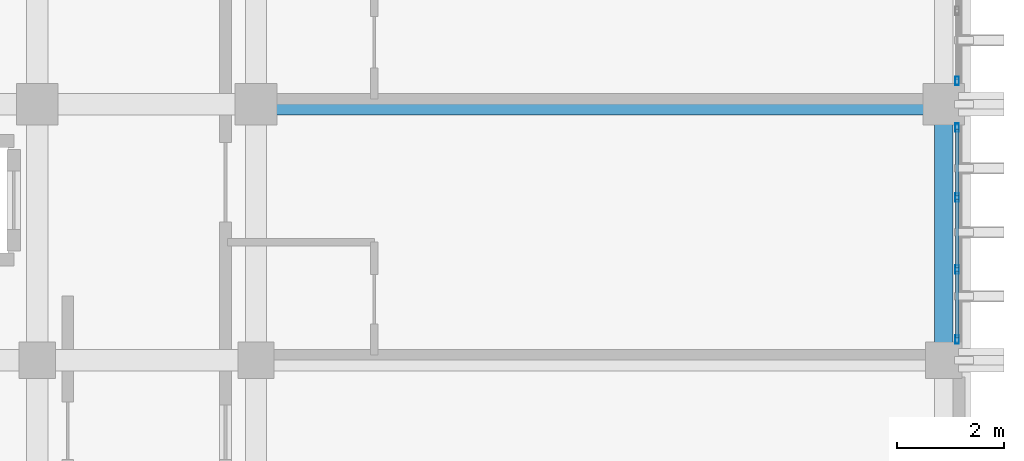
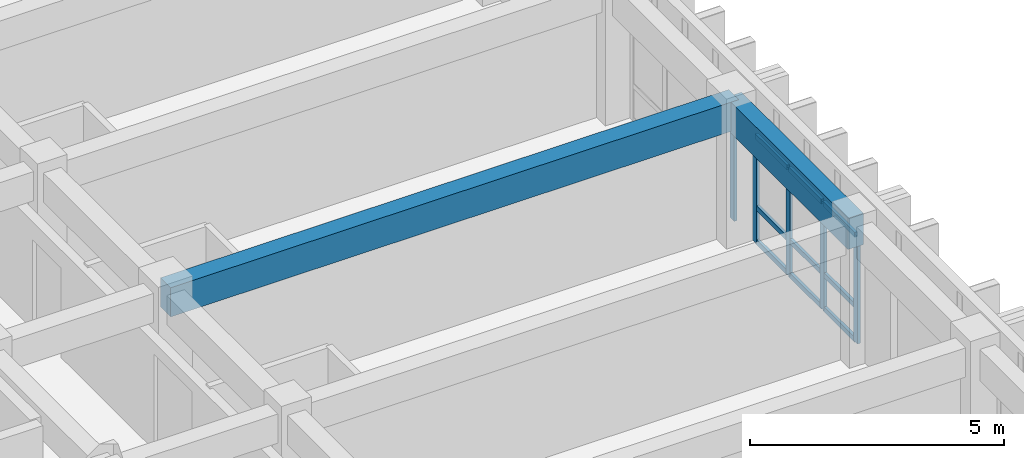
# One storey, part 29 of 68: 14 members, 2 beams, 2 elements without a shape of their own.
"""IFC4 building model written with IfcOpenShell, lengths in metres."""

from ifc_helpers import new_model, si_unit, direction, frame, origin, origin_2d, place, context, subcontext, project, spatial, rectangle, hollow_rectangle, extrude, material, layer, layer_set, material_profile, profile_set, type_object, element, aggregate, save


model = new_model("IFC4")

# Units and contexts
model_context = context("Model", 3, precision=1e-05, world=origin(), true_north=direction((0.0, 1.0)))
body_context = subcontext(model_context, "Body", "Model", "MODEL_VIEW")
ifc_project = project(units=[si_unit("LENGTHUNIT", "METRE"), si_unit("AREAUNIT", "SQUARE_METRE"), si_unit("VOLUMEUNIT", "CUBIC_METRE"), si_unit("PLANEANGLEUNIT", "RADIAN"), si_unit("MASSUNIT", "GRAM", prefix="KILO")], contexts=[model_context])

# Site, building, storey
site_placement = place(None, origin())
site = spatial("IfcSite", under=ifc_project, at=site_placement, CompositionType="ELEMENT")
building_placement = place(site_placement, origin())
building = spatial("IfcBuilding", under=site, at=building_placement, Name="Nakhvara Creek Congress Hotel", CompositionType="ELEMENT")
storey_placement = place(building_placement, frame((0.0, 0.0, 24.60009765625)))
storey = spatial("IfcBuildingStorey", under=building, at=storey_placement, Name="L05", CompositionType="ELEMENT", Elevation=24.60009765625)

# Beams
ifc_material_1 = material(Name="Concrete C40/50", Category="concrete")
ifc_material_profile_1 = material_profile(ifc_material_1, rectangle(XDim=0.39990234375, YDim=0.699951171875, at=origin_2d()), Name="RC-BM 400x700", Category="LoadBearing")
ifc_profile_set_1 = profile_set([ifc_material_profile_1], Name="Concrete C40/50")
beam_type_1 = type_object("IfcBeamType", Name="BM-RC-400X700", PredefinedType="BEAM", material=ifc_profile_set_1)
beam_1_placement = place(storey_placement, frame((166.449951171875, 76.800048828125, 2.989990234375), z_axis=(1.0, 0.0, 0.0), x_axis=(0.0, 1.0, 0.0)))
element("IfcBeam", 1, at=beam_1_placement, inside=storey, type_object=beam_type_1, Name="Beam B05-L05-2130", PredefinedType="BEAM", context=body_context, shape_type="SweptSolid", body=[
    extrude(rectangle(XDim=0.39990234375, YDim=0.699951171875, at=origin_2d()), origin(), (0.0, 0.0, 1.0), 12.900146484375),
])
ifc_material_profile_2 = material_profile(ifc_material_1, rectangle(XDim=0.35009765625, YDim=0.75, at=origin_2d()), Name="RC-SPANDREL 350x750", Category="LoadBearing")
ifc_profile_set_2 = profile_set([ifc_material_profile_2], Name="Concrete C40/50")
beam_type_2 = type_object("IfcBeamType", Name="BM-SPN-350X750", PredefinedType="SPANDREL", material=ifc_profile_set_2)
beam_2_placement = place(storey_placement, frame((179.35009765625, 72.0, 2.96484375), z_axis=(0.0, 1.0, 0.0), x_axis=(-1.0, 0.0, 0.0)))
element("IfcBeam", 2, at=beam_2_placement, inside=storey, type_object=beam_type_2, Name="Beam SP1-L05-2156", PredefinedType="SPANDREL", context=body_context, shape_type="SweptSolid", body=[
    extrude(rectangle(XDim=0.35009765625, YDim=0.75, at=origin_2d()), origin(), (0.0, 0.0, 1.0), 4.800048828125),
])

# Curtain wall, members
ifc_material_2 = material(Name="Bronze-anodised aluminium AW-6063-T6 and double-silver low-E glass", Category="aluminium")
ifc_layer = layer(ifc_material_2, 0.199951171875)
ifc_layer_set = layer_set([ifc_layer], Name="Bronze-anodised aluminium AW-6063-T6 and double-silver low-E glass")
curtain_wall_type = type_object("IfcCurtainWallType", Name="CW-HTL-UNIT", PredefinedType="USERDEFINED", material=ifc_layer_set)
curtain_wall_1_placement = place(storey_placement, origin())
curtain_wall_1 = element("IfcCurtainWall", 3, at=curtain_wall_1_placement, inside=storey, type_object=curtain_wall_type, Name="Curtain Wall CW214", ObjectType="UNITISED", PredefinedType="USERDEFINED")
ifc_material_3 = material(Name="Bronze-anodised aluminium AW-6063-T6", Category="aluminium")
ifc_material_profile_3 = material_profile(ifc_material_3, hollow_rectangle(XDim=0.06494140625, YDim=0.159912109375, WallThickness=0.00390625, at=origin_2d()), Name="ALU-MULL 65x160x4", Category="LoadBearing")
ifc_profile_set_3 = profile_set([ifc_material_profile_3], Name="Bronze-anodised aluminium AW-6063-T6")
member_type_1 = type_object("IfcMemberType", Name="CW-MULL-160", PredefinedType="MULLION", material=ifc_profile_set_3)
member_1_placement = place(storey_placement, frame((179.60009765625, 76.362548828125, 0.0), z_axis=(0.0, 0.0, 1.0), x_axis=(1.0, 0.0, 0.0)))
member_1 = element("IfcMember", 4, at=member_1_placement, type_object=member_type_1, Name="CW214 mullion 1", PredefinedType="MULLION", context=body_context, shape_type="SweptSolid", body=[
    extrude(hollow_rectangle(XDim=0.06494140625, YDim=0.159912109375, WallThickness=0.00390625, at=origin_2d()), origin(), (0.0, 0.0, 1.0), 2.581787109375),
])
member_2_placement = place(storey_placement, frame((179.60009765625, 75.04833984375, 0.0), z_axis=(0.0, 0.0, 1.0), x_axis=(1.0, 0.0, 0.0)))
member_2 = element("IfcMember", 5, at=member_2_placement, type_object=member_type_1, Name="CW214 mullion 2", PredefinedType="MULLION", context=body_context, shape_type="SweptSolid", body=[
    extrude(hollow_rectangle(XDim=0.06494140625, YDim=0.159912109375, WallThickness=0.00390625, at=origin_2d()), origin(), (0.0, 0.0, 1.0), 2.581787109375),
])
member_3_placement = place(storey_placement, frame((179.60009765625, 73.70166015625, 0.0), z_axis=(0.0, 0.0, 1.0), x_axis=(1.0, 0.0, 0.0)))
member_3 = element("IfcMember", 6, at=member_3_placement, type_object=member_type_1, Name="CW214 mullion 3", PredefinedType="MULLION", context=body_context, shape_type="SweptSolid", body=[
    extrude(hollow_rectangle(XDim=0.06494140625, YDim=0.159912109375, WallThickness=0.00390625, at=origin_2d()), origin(), (0.0, 0.0, 1.0), 2.581787109375),
])
member_4_placement = place(storey_placement, frame((179.60009765625, 72.387451171875, 0.0), z_axis=(0.0, 0.0, 1.0), x_axis=(1.0, 0.0, 0.0)))
member_4 = element("IfcMember", 7, at=member_4_placement, type_object=member_type_1, Name="CW214 mullion 4", PredefinedType="MULLION", context=body_context, shape_type="SweptSolid", body=[
    extrude(hollow_rectangle(XDim=0.06494140625, YDim=0.159912109375, WallThickness=0.00390625, at=origin_2d()), origin(), (0.0, 0.0, 1.0), 2.581787109375),
])

# Curtain wall, member
curtain_wall_2_placement = place(storey_placement, origin())
curtain_wall_2 = element("IfcCurtainWall", 8, at=curtain_wall_2_placement, inside=storey, type_object=curtain_wall_type, Name="Curtain Wall CW216", ObjectType="UNITISED", PredefinedType="USERDEFINED")
member_5_placement = place(storey_placement, frame((179.60009765625, 77.237548828125, 0.0), z_axis=(0.0, 0.0, 1.0), x_axis=(1.0, 0.0, 0.0)))
member_5 = element("IfcMember", 9, at=member_5_placement, type_object=member_type_1, Name="CW216 mullion 4", PredefinedType="MULLION", context=body_context, shape_type="SweptSolid", body=[
    extrude(hollow_rectangle(XDim=0.06494140625, YDim=0.159912109375, WallThickness=0.00390625, at=origin_2d()), origin(), (0.0, 0.0, 1.0), 2.581787109375),
])
aggregate(curtain_wall_2, [member_5])

# Member
ifc_material_profile_4 = material_profile(ifc_material_3, hollow_rectangle(XDim=0.06494140625, YDim=0.1201171875, WallThickness=0.00390625, at=origin_2d()), Name="ALU-TRAN 65x120x4", Category="LoadBearing")
ifc_profile_set_4 = profile_set([ifc_material_profile_4], Name="Bronze-anodised aluminium AW-6063-T6")
member_type_2 = type_object("IfcMemberType", Name="CW-TRAN-120", PredefinedType="USERDEFINED", material=ifc_profile_set_4)
member_6_placement = place(storey_placement, frame((179.60009765625, 76.330078125, 0.032470703125), z_axis=(0.0, -1.0, 0.0), x_axis=(1.0, 0.0, 0.0)))
member_6 = element("IfcMember", 10, at=member_6_placement, type_object=member_type_2, Name="CW214 transom 1.1", ObjectType="TRANSOM", PredefinedType="USERDEFINED", context=body_context, shape_type="SweptSolid", body=[
    extrude(hollow_rectangle(XDim=0.06494140625, YDim=0.1201171875, WallThickness=0.00390625, at=origin_2d()), origin(), (0.0, 0.0, 1.0), 1.249267578125),
])

member_7_placement = place(storey_placement, frame((179.60009765625, 76.330078125, 0.849853515625), z_axis=(0.0, -1.0, 0.0), x_axis=(1.0, 0.0, 0.0)))
member_7 = element("IfcMember", 11, at=member_7_placement, type_object=member_type_2, Name="CW214 transom 1.2", ObjectType="TRANSOM", PredefinedType="USERDEFINED", context=body_context, shape_type="SweptSolid", body=[
    extrude(hollow_rectangle(XDim=0.06494140625, YDim=0.1201171875, WallThickness=0.00390625, at=origin_2d()), origin(), (0.0, 0.0, 1.0), 1.249267578125),
])

member_8_placement = place(storey_placement, frame((179.60009765625, 76.330078125, 2.54931640625), z_axis=(0.0, -1.0, 0.0), x_axis=(1.0, 0.0, 0.0)))
member_8 = element("IfcMember", 12, at=member_8_placement, type_object=member_type_2, Name="CW214 transom 1.3", ObjectType="TRANSOM", PredefinedType="USERDEFINED", context=body_context, shape_type="SweptSolid", body=[
    extrude(hollow_rectangle(XDim=0.06494140625, YDim=0.1201171875, WallThickness=0.00390625, at=origin_2d()), origin(), (0.0, 0.0, 1.0), 1.249267578125),
])

member_9_placement = place(storey_placement, frame((179.60009765625, 75.015869140625, 0.032470703125), z_axis=(0.0, -1.0, 0.0), x_axis=(1.0, 0.0, 0.0)))
member_9 = element("IfcMember", 13, at=member_9_placement, type_object=member_type_2, Name="CW214 transom 2.1", ObjectType="TRANSOM", PredefinedType="USERDEFINED", context=body_context, shape_type="SweptSolid", body=[
    extrude(hollow_rectangle(XDim=0.06494140625, YDim=0.1201171875, WallThickness=0.00390625, at=origin_2d()), origin(), (0.0, 0.0, 1.0), 1.28173828125),
])

member_10_placement = place(storey_placement, frame((179.60009765625, 75.015869140625, 0.849853515625), z_axis=(0.0, -1.0, 0.0), x_axis=(1.0, 0.0, 0.0)))
member_10 = element("IfcMember", 14, at=member_10_placement, type_object=member_type_2, Name="CW214 transom 2.2", ObjectType="TRANSOM", PredefinedType="USERDEFINED", context=body_context, shape_type="SweptSolid", body=[
    extrude(hollow_rectangle(XDim=0.06494140625, YDim=0.1201171875, WallThickness=0.00390625, at=origin_2d()), origin(), (0.0, 0.0, 1.0), 1.28173828125),
])

member_11_placement = place(storey_placement, frame((179.60009765625, 75.015869140625, 2.54931640625), z_axis=(0.0, -1.0, 0.0), x_axis=(1.0, 0.0, 0.0)))
member_11 = element("IfcMember", 15, at=member_11_placement, type_object=member_type_2, Name="CW214 transom 2.3", ObjectType="TRANSOM", PredefinedType="USERDEFINED", context=body_context, shape_type="SweptSolid", body=[
    extrude(hollow_rectangle(XDim=0.06494140625, YDim=0.1201171875, WallThickness=0.00390625, at=origin_2d()), origin(), (0.0, 0.0, 1.0), 1.28173828125),
])

member_12_placement = place(storey_placement, frame((179.60009765625, 73.669189453125, 0.032470703125), z_axis=(0.0, -1.0, 0.0), x_axis=(1.0, 0.0, 0.0)))
member_12 = element("IfcMember", 16, at=member_12_placement, type_object=member_type_2, Name="CW214 transom 3.1", ObjectType="TRANSOM", PredefinedType="USERDEFINED", context=body_context, shape_type="SweptSolid", body=[
    extrude(hollow_rectangle(XDim=0.06494140625, YDim=0.1201171875, WallThickness=0.00390625, at=origin_2d()), origin(), (0.0, 0.0, 1.0), 1.249267578125),
])

member_13_placement = place(storey_placement, frame((179.60009765625, 73.669189453125, 0.849853515625), z_axis=(0.0, -1.0, 0.0), x_axis=(1.0, 0.0, 0.0)))
member_13 = element("IfcMember", 17, at=member_13_placement, type_object=member_type_2, Name="CW214 transom 3.2", ObjectType="TRANSOM", PredefinedType="USERDEFINED", context=body_context, shape_type="SweptSolid", body=[
    extrude(hollow_rectangle(XDim=0.06494140625, YDim=0.1201171875, WallThickness=0.00390625, at=origin_2d()), origin(), (0.0, 0.0, 1.0), 1.249267578125),
])

member_14_placement = place(storey_placement, frame((179.60009765625, 73.669189453125, 2.54931640625), z_axis=(0.0, -1.0, 0.0), x_axis=(1.0, 0.0, 0.0)))
member_14 = element("IfcMember", 18, at=member_14_placement, type_object=member_type_2, Name="CW214 transom 3.3", ObjectType="TRANSOM", PredefinedType="USERDEFINED", context=body_context, shape_type="SweptSolid", body=[
    extrude(hollow_rectangle(XDim=0.06494140625, YDim=0.1201171875, WallThickness=0.00390625, at=origin_2d()), origin(), (0.0, 0.0, 1.0), 1.249267578125),
])

aggregate(curtain_wall_1, [member_1, member_2, member_3, member_4, member_6, member_7, member_8, member_9, member_10, member_11, member_12, member_13, member_14])

save(model, "model.ifc")
